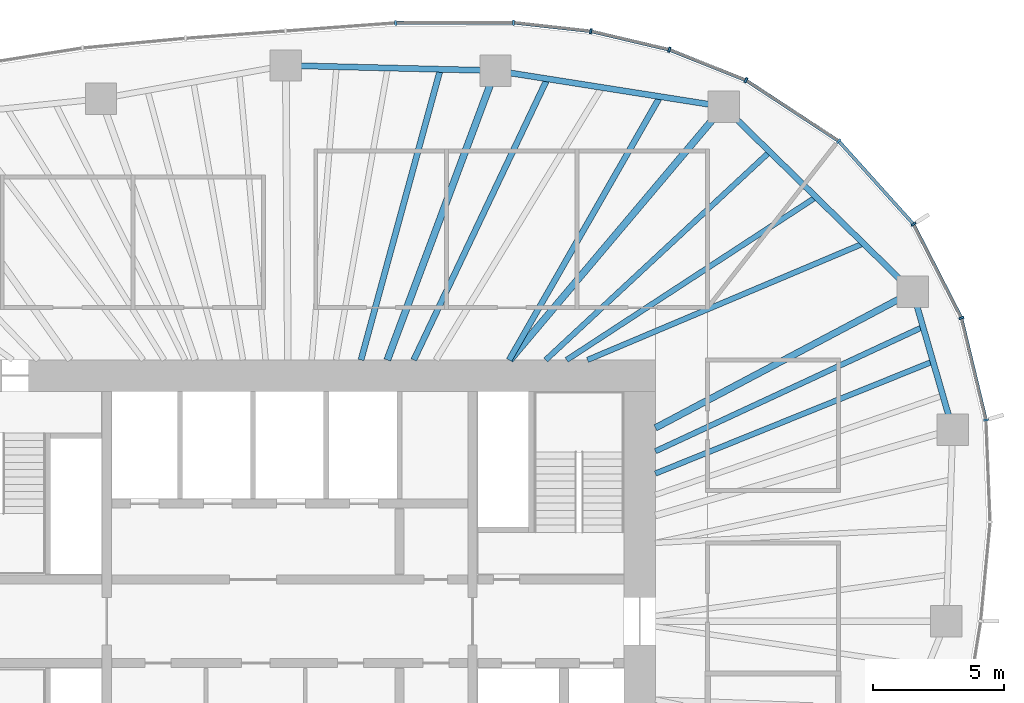
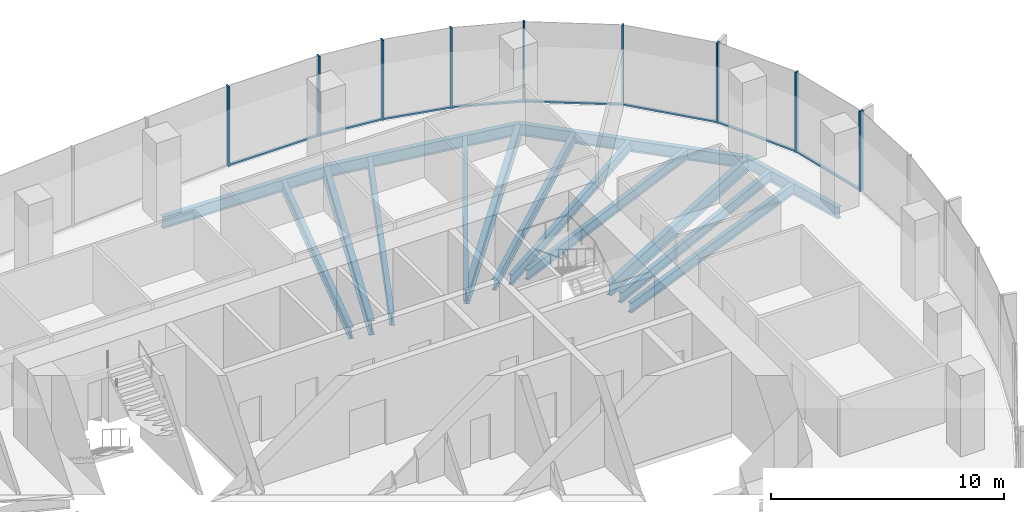
# One storey, part 6 of 12: 17 members, 15 beams, 4 elements without a shape of their own.
"""IFC4 building model written with IfcOpenShell, lengths in metres."""

import ifcopenshell
import ifcopenshell.guid

model = None  # the IFC model being written
_history = None  # IfcOwnerHistory: only IFC2X3 demands one
_inside = {}  # id of a spatial element -> (the spatial element, [elements in it])
_under = {}  # id of a project, library or spatial element -> (it, [spatial elements below it])
_declared = {}  # id of a project -> (the project, [libraries it declares])
_typed = {}  # id of a type object -> (the type object, [elements of that type])
_made_of = {}  # id of a material, layer set ... -> (it, [elements and type objects made of it])


def new_model(schema):
    """Start an empty IFC model of exactly this schema.

    Asked for "IFC4X3", IfcOpenShell would pick the latest addendum, in which some entities
    have other attributes; the version numbers below select the first issue.
    IFC2X3 requires an IfcOwnerHistory on every rooted entity: one is made here for all.
    """
    global model, _history
    if schema == "IFC4X3":
        model = ifcopenshell.file(schema_version=(4, 3, 0, 0))
    else:
        model = ifcopenshell.file(schema=schema)
    _inside.clear()
    _under.clear()
    _declared.clear()
    _typed.clear()
    _made_of.clear()
    _history = None
    if model.schema == "IFC2X3":
        org = make("IfcOrganization", Name="unknown")
        user = make(
            "IfcPersonAndOrganization",
            ThePerson=make("IfcPerson", FamilyName="unknown"),
            TheOrganization=org,
        )
        app = make(
            "IfcApplication",
            ApplicationDeveloper=org,
            Version="unknown",
            ApplicationFullName="unknown",
            ApplicationIdentifier="unknown",
        )
        _history = make(
            "IfcOwnerHistory",
            OwningUser=user,
            OwningApplication=app,
            ChangeAction="ADDED",
            CreationDate=0,
        )
    return model


def make(cls, **values):
    """One entity of the class cls with the attributes given. An attribute that is None is left unset."""
    return model.create_entity(
        cls, **{name: value for name, value in values.items() if value is not None}
    )


def rooted(cls, **values):
    """An entity with a GlobalId (a new one), such as an element, a storey or a relation."""
    return make(cls, GlobalId=ifcopenshell.guid.new(), OwnerHistory=_history, **values)


def si_unit(unit_type, name, prefix=None):
    """IfcSIUnit, for example si_unit("LENGTHUNIT", "METRE", prefix="MILLI")."""
    return make("IfcSIUnit", UnitType=unit_type, Prefix=prefix, Name=name)


def assignment(units):
    """IfcUnitAssignment: the units of a project."""
    return None if units is None else make("IfcUnitAssignment", Units=units)


def point(xyz):
    """IfcCartesianPoint."""
    return None if xyz is None else make("IfcCartesianPoint", Coordinates=xyz)


def direction(xyz):
    """IfcDirection."""
    return None if xyz is None else make("IfcDirection", DirectionRatios=xyz)


def frame(location, z_axis=None, x_axis=None):
    """IfcAxis2Placement3D, a coordinate frame: its origin and axes. An axis left out is left unset."""
    return make(
        "IfcAxis2Placement3D",
        Location=point(location),
        Axis=direction(z_axis),
        RefDirection=direction(x_axis),
    )


def frame_2d(location, x_axis=None):
    """IfcAxis2Placement2D, a coordinate frame in the plane: its origin and x axis."""
    return make(
        "IfcAxis2Placement2D", Location=point(location), RefDirection=direction(x_axis)
    )


def origin():
    """The frame at (0, 0, 0) with its axes left unset."""
    return frame((0.0, 0.0, 0.0))


def origin_2d():
    """The frame at (0, 0) in the plane with its x axis left unset."""
    return frame_2d((0.0, 0.0))


def place(relative_to, where):
    """IfcLocalPlacement: puts the frame where relative to a parent placement (None: the world)."""
    return make(
        "IfcLocalPlacement", PlacementRelTo=relative_to, RelativePlacement=where
    )


def context(
    kind, dimensions, precision=None, world=None, true_north=None, identifier=None
):
    """IfcGeometricRepresentationContext, for example the 3D "Model" context."""
    return make(
        "IfcGeometricRepresentationContext",
        ContextIdentifier=identifier,
        ContextType=kind,
        CoordinateSpaceDimension=dimensions,
        Precision=precision,
        WorldCoordinateSystem=world,
        TrueNorth=true_north,
    )


def subcontext(parent, identifier, kind, view, scale=None):
    """IfcGeometricRepresentationSubContext, for example "Body" below "Model"."""
    return make(
        "IfcGeometricRepresentationSubContext",
        ContextIdentifier=identifier,
        ContextType=kind,
        ParentContext=parent,
        TargetScale=scale,
        TargetView=view,
    )


def project(units=None, contexts=None):
    """IfcProject with its units and contexts."""
    return rooted(
        "IfcProject",
        Name="project",
        RepresentationContexts=contexts,
        UnitsInContext=assignment(units),
    )


def spatial(cls, under=None, at=None, **own):
    """A site, building, storey or space (cls), placed at a placement, below another one or the project."""
    s = rooted(cls, ObjectPlacement=at, **own)
    if under is not None:
        _under.setdefault(under.id(), (under, []))[1].append(s)
    return s


def profile(cls, at=None, kind="AREA", **sizes):
    """A parametric profile (cls). Its sizes go by their IFC names, for example OverallWidth=200.0."""
    return make(cls, ProfileType=kind, Position=at, **sizes)


def rectangle(**sizes):
    """IfcRectangleProfileDef."""
    return profile("IfcRectangleProfileDef", **sizes)


def i_section(**sizes):
    """IfcIShapeProfileDef."""
    return profile("IfcIShapeProfileDef", **sizes)


def extrude(swept, where, along, depth):
    """IfcExtrudedAreaSolid: the profile swept, set in the frame where, extruded along a direction by depth."""
    return make(
        "IfcExtrudedAreaSolid",
        SweptArea=swept,
        Position=where,
        ExtrudedDirection=direction(along),
        Depth=depth,
    )


def shape(context_of_items, identifier, shape_type, items):
    """IfcShapeRepresentation: the items that make up one representation, for example the "Body"."""
    return make(
        "IfcShapeRepresentation",
        ContextOfItems=context_of_items,
        RepresentationIdentifier=identifier,
        RepresentationType=shape_type,
        Items=items,
    )


def material(Name=None, Category=None):
    """IfcMaterial."""
    return make("IfcMaterial", Name=Name, Category=Category)


def material_profile(
    of_material, cross_section, Name=None, Category=None, Priority=None
):
    """IfcMaterialProfile: a cross section and its material."""
    return make(
        "IfcMaterialProfile",
        Name=Name,
        Material=of_material,
        Profile=cross_section,
        Priority=Priority,
        Category=Category,
    )


def profile_set(profiles, Name=None, composite=None):
    """IfcMaterialProfileSet."""
    return make(
        "IfcMaterialProfileSet",
        Name=Name,
        MaterialProfiles=profiles,
        CompositeProfile=composite,
    )


def made_of(thing, what):
    """Note that an element or type object is made of a material, layer set ...; save() writes the relation."""
    if what is not None:
        _made_of.setdefault(what.id(), (what, []))[1].append(thing)
    return thing


def type_object(cls, material=None, **own):
    """A type object (cls), such as IfcWallType, which elements share."""
    return made_of(rooted(cls, **own), material)


def element(
    cls,
    number,
    at=None,
    inside=None,
    cuts=None,
    type_object=None,
    material=None,
    context=None,
    identifier="Body",
    shape_type=None,
    held_by="IfcProductDefinitionShape",
    body=None,
    shapes=None,
    **own,
):
    """One element of the class cls, such as IfcWall. Its Tag is "e" and its number.

    at: its placement. inside: the storey or other place that contains it. cuts: it is an
    opening in that element (IfcRelVoidsElement). A single representation is given by context,
    identifier, shape_type and body (its items); several are given by shapes. held_by: the class
    of the entity that holds the representations. save() writes the other relations.
    """
    e = rooted(cls, Tag="e%d" % number, ObjectPlacement=at, **own)
    if body is not None:
        shapes = [shape(context, identifier, shape_type, body)]
    if shapes is not None:
        e.Representation = make(held_by, Representations=shapes)
    if inside is not None:
        _inside.setdefault(inside.id(), (inside, []))[1].append(e)
    if cuts is not None:
        rooted(
            "IfcRelVoidsElement", RelatingBuildingElement=cuts, RelatedOpeningElement=e
        )
    if type_object is not None:
        _typed.setdefault(type_object.id(), (type_object, []))[1].append(e)
    return made_of(e, material)


def aggregate(whole, parts):
    """IfcRelAggregates: a whole, such as a stair, and the parts it consists of."""
    return rooted("IfcRelAggregates", RelatingObject=whole, RelatedObjects=parts)


def save(model, path):
    """Write the relations noted so far, then the file.

    IfcRelAggregates (storeys below a building ...), IfcRelContainedInSpatialStructure (elements
    in a storey), IfcRelDefinesByType, IfcRelAssociatesMaterial and IfcRelDeclares: one each for
    every whole, place, type object, material and project.
    """
    for whole, parts in _under.values():
        aggregate(whole, parts)
    for where, things in _inside.values():
        rooted(
            "IfcRelContainedInSpatialStructure",
            RelatedElements=things,
            RelatingStructure=where,
        )
    for kind, things in _typed.values():
        rooted("IfcRelDefinesByType", RelatedObjects=things, RelatingType=kind)
    for what, things in _made_of.values():
        rooted("IfcRelAssociatesMaterial", RelatedObjects=things, RelatingMaterial=what)
    for by, libraries in _declared.values():
        rooted("IfcRelDeclares", RelatingContext=by, RelatedDefinitions=libraries)
    model.write(path)


model = new_model("IFC4")

# Units and contexts
model_context = context("Model", 3, precision=1e-05, world=origin(), true_north=direction((0.0, 1.0)))
body_context = subcontext(model_context, "Body", "Model", "MODEL_VIEW")
ifc_project = project(units=[si_unit("LENGTHUNIT", "METRE"), si_unit("AREAUNIT", "SQUARE_METRE"), si_unit("VOLUMEUNIT", "CUBIC_METRE"), si_unit("PLANEANGLEUNIT", "RADIAN"), si_unit("MASSUNIT", "GRAM", prefix="KILO")], contexts=[model_context])

# Site, building, storey
site_placement = place(None, origin())
site = spatial("IfcSite", under=ifc_project, at=site_placement, CompositionType="ELEMENT")
building_placement = place(site_placement, origin())
building = spatial("IfcBuilding", under=site, at=building_placement, Name="Ghaith Harvest Tower", CompositionType="ELEMENT")
storey_placement = place(building_placement, frame((0.0, 0.0, 253.60009765625)))
storey = spatial("IfcBuildingStorey", under=building, at=storey_placement, Name="L56", CompositionType="ELEMENT", Elevation=253.60009765625)

# Curtain wall, members
ifc_material_1 = material(Name="Black anodised aluminium and fritted glass", Category="aluminium")
curtain_wall_type = type_object("IfcCurtainWallType", Name="CW-H CURTAIN WALL", PredefinedType="NOTDEFINED", material=ifc_material_1)
curtain_wall_1_placement = place(storey_placement, origin())
curtain_wall_1 = element("IfcCurtainWall", 1, at=curtain_wall_1_placement, inside=storey, type_object=curtain_wall_type, Name="Curtain wall CW-H bay 02 L56", PredefinedType="NOTDEFINED")
ifc_material_2 = material(Name="Aluminium, black anodised", Category="aluminium")
ifc_material_profile_1 = material_profile(ifc_material_2, rectangle(XDim=0.080078125, YDim=0.199951171875, at=origin_2d()), Name="CW-H MULLION 80x200")
ifc_profile_set_1 = profile_set([ifc_material_profile_1], Name="Aluminium, black anodised")
member_type_1 = type_object("IfcMemberType", Name="CW-H MULLION 80x200", PredefinedType="MULLION", material=ifc_profile_set_1)
member_1_placement = place(storey_placement, frame((26.646484375, 7.701416015625, 0.0), z_axis=(0.0, 0.0, 1.0), x_axis=(-0.139146256981, 0.990271841046, 0.0)))
member_1 = element("IfcMember", 2, at=member_1_placement, type_object=member_type_1, Name="CW-H mullion 1 bay 02 L56", PredefinedType="MULLION", context=body_context, shape_type="SweptSolid", body=[
    extrude(rectangle(XDim=0.080078125, YDim=0.199951171875, at=origin_2d()), origin(), (0.0, 0.0, 1.0), 4.199951171875),
])
member_2_placement = place(storey_placement, frame((25.707275390625, 11.60546875, 0.0), z_axis=(0.0, 0.0, 1.0), x_axis=(-0.347012123561, 0.93786064322, 0.0)))
member_2 = element("IfcMember", 3, at=member_2_placement, type_object=member_type_1, Name="CW-H mullion 2 bay 02 L56", PredefinedType="MULLION", context=body_context, shape_type="SweptSolid", body=[
    extrude(rectangle(XDim=0.080078125, YDim=0.199951171875, at=origin_2d()), origin(), (0.0, 0.0, 1.0), 4.199951171875),
])

curtain_wall_2_placement = place(storey_placement, origin())
curtain_wall_2 = element("IfcCurtainWall", 4, at=curtain_wall_2_placement, inside=storey, type_object=curtain_wall_type, Name="Curtain wall CW-H bay 03 L56", PredefinedType="NOTDEFINED")
member_3_placement = place(storey_placement, frame((23.874267578125, 15.19384765625, 0.0), z_axis=(0.0, 0.0, 1.0), x_axis=(-0.569847382909, 0.821750546207, 0.0)))
member_3 = element("IfcMember", 5, at=member_3_placement, type_object=member_type_1, Name="CW-H mullion 1 bay 03 L56", PredefinedType="MULLION", context=body_context, shape_type="SweptSolid", body=[
    extrude(rectangle(XDim=0.080078125, YDim=0.199951171875, at=origin_2d()), origin(), (0.0, 0.0, 1.0), 4.199951171875),
])
member_4_placement = place(storey_placement, frame((21.013427734375, 18.374267578125, 0.0), z_axis=(0.0, 0.0, 1.0), x_axis=(-0.758541332755, 0.651624927778, 0.0)))
member_4 = element("IfcMember", 6, at=member_4_placement, type_object=member_type_1, Name="CW-H mullion 2 bay 03 L56", PredefinedType="MULLION", context=body_context, shape_type="SweptSolid", body=[
    extrude(rectangle(XDim=0.080078125, YDim=0.199951171875, at=origin_2d()), origin(), (0.0, 0.0, 1.0), 4.199951171875),
])

curtain_wall_3_placement = place(storey_placement, origin())
curtain_wall_3 = element("IfcCurtainWall", 7, at=curtain_wall_3_placement, inside=storey, type_object=curtain_wall_type, Name="Curtain wall CW-H bay 04 L56", PredefinedType="NOTDEFINED")
member_5_placement = place(storey_placement, frame((17.45947265625, 20.704345703125, 0.0), z_axis=(0.0, 0.0, 1.0), x_axis=(-0.880203412003, 0.474596621878, 0.0)))
member_5 = element("IfcMember", 8, at=member_5_placement, type_object=member_type_1, Name="CW-H mullion 1 bay 04 L56", PredefinedType="MULLION", context=body_context, shape_type="SweptSolid", body=[
    extrude(rectangle(XDim=0.080078125, YDim=0.199951171875, at=origin_2d()), origin(), (0.0, 0.0, 1.0), 4.199951171875),
])
member_6_placement = place(storey_placement, frame((14.52734375, 21.871337890625, 0.0), z_axis=(0.0, 0.0, 1.0), x_axis=(-0.953502908871, 0.30138381306, 0.0)))
member_6 = element("IfcMember", 9, at=member_6_placement, type_object=member_type_1, Name="CW-H mullion 2 bay 04 L56", PredefinedType="MULLION", context=body_context, shape_type="SweptSolid", body=[
    extrude(rectangle(XDim=0.080078125, YDim=0.199951171875, at=origin_2d()), origin(), (0.0, 0.0, 1.0), 4.199951171875),
])
member_7_placement = place(storey_placement, frame((11.527099609375, 22.579345703125, 0.0), z_axis=(0.0, 0.0, 1.0), x_axis=(-0.985193373388, 0.171446834417, 0.0)))
member_7 = element("IfcMember", 10, at=member_7_placement, type_object=member_type_1, Name="CW-H mullion 3 bay 04 L56", PredefinedType="MULLION", context=body_context, shape_type="SweptSolid", body=[
    extrude(rectangle(XDim=0.080078125, YDim=0.199951171875, at=origin_2d()), origin(), (0.0, 0.0, 1.0), 4.199951171875),
])

curtain_wall_4_placement = place(storey_placement, origin())
curtain_wall_4 = element("IfcCurtainWall", 11, at=curtain_wall_4_placement, inside=storey, type_object=curtain_wall_type, Name="Curtain wall CW-H bay 05 L56", PredefinedType="NOTDEFINED")
member_8_placement = place(storey_placement, frame((8.564208984375, 22.9091796875, 0.0), z_axis=(0.0, 0.0, 1.0), x_axis=(-0.999083519493, 0.042803283493, 0.0)))
member_8 = element("IfcMember", 12, at=member_8_placement, type_object=member_type_1, Name="CW-H mullion 1 bay 05 L56", PredefinedType="MULLION", context=body_context, shape_type="SweptSolid", body=[
    extrude(rectangle(XDim=0.080078125, YDim=0.199951171875, at=origin_2d()), origin(), (0.0, 0.0, 1.0), 4.199951171875),
])
member_9_placement = place(storey_placement, frame((4.0595703125, 22.8994140625, 0.0), z_axis=(0.0, 0.0, 1.0), x_axis=(-0.999332779724, -0.036523901335, 0.0)))
member_9 = element("IfcMember", 13, at=member_9_placement, type_object=member_type_1, Name="CW-H mullion 2 bay 05 L56", PredefinedType="MULLION", context=body_context, shape_type="SweptSolid", body=[
    extrude(rectangle(XDim=0.080078125, YDim=0.199951171875, at=origin_2d()), origin(), (0.0, 0.0, 1.0), 4.199951171875),
])

# Member
ifc_material_3 = material(Name="Aluminium, black anodised", Category="aluminium")
ifc_material_profile_2 = material_profile(ifc_material_3, rectangle(XDim=0.1298828125, YDim=0.080078125, at=origin_2d()), Name="CW-H TRANSOM 130x80")
ifc_profile_set_2 = profile_set([ifc_material_profile_2], Name="Aluminium, black anodised")
member_type_2 = type_object("IfcMemberType", Name="CW-H TRANSOM 130x80", PredefinedType="USERDEFINED", material=ifc_profile_set_2)
member_10_placement = place(storey_placement, frame((26.636962890625, 7.740234375, 0.039794921875), z_axis=(-0.233870324689, 0.972267798104, 0.0), x_axis=(-0.972267798104, -0.233870324689, 0.0)))
member_10 = element("IfcMember", 14, at=member_10_placement, type_object=member_type_2, Name="CW-H transom 1 bay 02 L56", ObjectType="TRANSOM", PredefinedType="USERDEFINED", context=body_context, shape_type="SweptSolid", body=[
    extrude(rectangle(XDim=0.1298828125, YDim=0.080078125, at=origin_2d()), origin(), (0.0, 0.0, 1.0), 3.935546875),
])

member_11_placement = place(storey_placement, frame((25.68896484375, 11.64111328125, 0.039794921875), z_axis=(-0.454911728312, 0.890536534592, 0.0), x_axis=(-0.890536534592, -0.454911728312, 0.0)))
member_11 = element("IfcMember", 15, at=member_11_placement, type_object=member_type_2, Name="CW-H transom 2 bay 02 L56", ObjectType="TRANSOM", PredefinedType="USERDEFINED", context=body_context, shape_type="SweptSolid", body=[
    extrude(rectangle(XDim=0.1298828125, YDim=0.080078125, at=origin_2d()), origin(), (0.0, 0.0, 1.0), 3.949462890625),
])

aggregate(curtain_wall_1, [member_1, member_10, member_2, member_11])

member_12_placement = place(storey_placement, frame((23.847412109375, 15.223388671875, 0.039794921875), z_axis=(-0.668752638518, 0.743484975286, 0.0), x_axis=(-0.743484975286, -0.668752638518, 0.0)))
member_12 = element("IfcMember", 16, at=member_12_placement, type_object=member_type_2, Name="CW-H transom 1 bay 03 L56", ObjectType="TRANSOM", PredefinedType="USERDEFINED", context=body_context, shape_type="SweptSolid", body=[
    extrude(rectangle(XDim=0.1298828125, YDim=0.080078125, at=origin_2d()), origin(), (0.0, 0.0, 1.0), 4.197998046875),
])

member_13_placement = place(storey_placement, frame((20.97998046875, 18.39599609375, 0.039794921875), z_axis=(-0.836268574396, 0.548320044753, 0.0), x_axis=(-0.548320044753, -0.836268574396, 0.0)))
member_13 = element("IfcMember", 17, at=member_13_placement, type_object=member_type_2, Name="CW-H transom 2 bay 03 L56", ObjectType="TRANSOM", PredefinedType="USERDEFINED", context=body_context, shape_type="SweptSolid", body=[
    extrude(rectangle(XDim=0.1298828125, YDim=0.080078125, at=origin_2d()), origin(), (0.0, 0.0, 1.0), 4.169677734375),
])

aggregate(curtain_wall_2, [member_3, member_12, member_4, member_13])

member_14_placement = place(storey_placement, frame((17.42236328125, 20.71923828125, 0.039794921875), z_axis=(-0.929115751434, 0.369789021521, 0.0), x_axis=(-0.369789021521, -0.929115751434, 0.0)))
member_14 = element("IfcMember", 18, at=member_14_placement, type_object=member_type_2, Name="CW-H transom 1 bay 04 L56", ObjectType="TRANSOM", PredefinedType="USERDEFINED", context=body_context, shape_type="SweptSolid", body=[
    extrude(rectangle(XDim=0.1298828125, YDim=0.080078125, at=origin_2d()), origin(), (0.0, 0.0, 1.0), 3.075927734375),
])

member_15_placement = place(storey_placement, frame((14.48828125, 21.880615234375, 0.039794921875), z_axis=(-0.97325803677, 0.229714592186, 0.0), x_axis=(-0.229714592186, -0.97325803677, 0.0)))
member_15 = element("IfcMember", 19, at=member_15_placement, type_object=member_type_2, Name="CW-H transom 2 bay 04 L56", ObjectType="TRANSOM", PredefinedType="USERDEFINED", context=body_context, shape_type="SweptSolid", body=[
    extrude(rectangle(XDim=0.1298828125, YDim=0.080078125, at=origin_2d()), origin(), (0.0, 0.0, 1.0), 3.00244140625),
])

member_16_placement = place(storey_placement, frame((11.4873046875, 22.583984375, 0.039794921875), z_axis=(-0.993867303252, 0.110579308762, 0.0), x_axis=(-0.110579308762, -0.993867303252, 0.0)))
member_16 = element("IfcMember", 20, at=member_16_placement, type_object=member_type_2, Name="CW-H transom 3 bay 04 L56", ObjectType="TRANSOM", PredefinedType="USERDEFINED", context=body_context, shape_type="SweptSolid", body=[
    extrude(rectangle(XDim=0.1298828125, YDim=0.080078125, at=origin_2d()), origin(), (0.0, 0.0, 1.0), 2.901123046875),
])

aggregate(curtain_wall_3, [member_5, member_14, member_6, member_15, member_7, member_16])

member_17_placement = place(storey_placement, frame((8.524169921875, 22.9091796875, 0.039794921875), z_axis=(-0.999997564275, -0.002207134722, 0.0), x_axis=(0.002207134722, -0.999997564275, 0.0)))
member_17 = element("IfcMember", 21, at=member_17_placement, type_object=member_type_2, Name="CW-H transom 1 bay 05 L56", ObjectType="TRANSOM", PredefinedType="USERDEFINED", context=body_context, shape_type="SweptSolid", body=[
    extrude(rectangle(XDim=0.1298828125, YDim=0.080078125, at=origin_2d()), origin(), (0.0, 0.0, 1.0), 4.424560546875),
])

aggregate(curtain_wall_4, [member_8, member_17, member_9])

# Beams
ifc_material_4 = material(Name="Steel ASTM A992 Grade 50", Category="steel")
ifc_material_profile_3 = material_profile(ifc_material_4, i_section(OverallWidth=0.22900390625, OverallDepth=0.612060546875, WebThickness=0.011962890625, FlangeThickness=0.01953125, at=origin_2d()), Name="W610X125")
ifc_profile_set_3 = profile_set([ifc_material_profile_3], Name="Steel ASTM A992 Grade 50")
beam_type_1 = type_object("IfcBeamType", Name="E610-125 W610X125", PredefinedType="SPANDREL", material=ifc_profile_set_3)
beam_1_placement = place(storey_placement, frame((25.3779296875, 7.3349609375, -0.47607421875), z_axis=(-0.278021352648, 0.960574894254, 0.0), x_axis=(-0.960574894254, -0.278021352648, 0.0)))
element("IfcBeam", 22, at=beam_1_placement, inside=storey, type_object=beam_type_1, Name="Edge beam E02 L56", PredefinedType="SPANDREL", context=body_context, shape_type="SweptSolid", body=[
    extrude(i_section(OverallWidth=0.22900390625, OverallDepth=0.612060546875, WebThickness=0.011962890625, FlangeThickness=0.01953125, at=origin_2d()), origin(), (0.0, 0.0, 1.0), 5.48828125),
])
beam_2_placement = place(storey_placement, frame((23.85205078125, 12.60693359375, -0.47607421875), z_axis=(-0.714761249388, 0.699368541166, 0.0), x_axis=(-0.699368541166, -0.714761249388, 0.0)))
element("IfcBeam", 23, at=beam_2_placement, inside=storey, type_object=beam_type_1, Name="Edge beam E03 L56", PredefinedType="SPANDREL", context=body_context, shape_type="SweptSolid", body=[
    extrude(i_section(OverallWidth=0.22900390625, OverallDepth=0.612060546875, WebThickness=0.011962890625, FlangeThickness=0.01953125, at=origin_2d()), origin(), (0.0, 0.0, 1.0), 10.135009765625),
])
beam_3_placement = place(storey_placement, frame((16.60791015625, 19.695068359375, -0.47607421875), z_axis=(-0.987788485872, 0.155800857439, 0.0), x_axis=(-0.155800857439, -0.987788485872, 0.0)))
element("IfcBeam", 24, at=beam_3_placement, inside=storey, type_object=beam_type_1, Name="Edge beam E04 L56", PredefinedType="SPANDREL", context=body_context, shape_type="SweptSolid", body=[
    extrude(i_section(OverallWidth=0.22900390625, OverallDepth=0.612060546875, WebThickness=0.011962890625, FlangeThickness=0.01953125, at=origin_2d()), origin(), (0.0, 0.0, 1.0), 8.837890625),
])
beam_4_placement = place(storey_placement, frame((7.8779296875, 21.072021484375, -0.47607421875), z_axis=(-0.999692679676, 0.024790042413, 0.0), x_axis=(-0.024790042413, -0.999692679676, 0.0)))
element("IfcBeam", 25, at=beam_4_placement, inside=storey, type_object=beam_type_1, Name="Edge beam E05 L56", PredefinedType="SPANDREL", context=body_context, shape_type="SweptSolid", body=[
    extrude(i_section(OverallWidth=0.22900390625, OverallDepth=0.612060546875, WebThickness=0.011962890625, FlangeThickness=0.01953125, at=origin_2d()), origin(), (0.0, 0.0, 1.0), 8.0263671875),
])
ifc_material_5 = material(Name="Steel ASTM A992 Grade 50", Category="steel")
ifc_material_profile_4 = material_profile(ifc_material_5, i_section(OverallWidth=0.256103515625, OverallDepth=0.693115234375, WebThickness=0.014404296875, FlangeThickness=0.023681640625, at=origin_2d()), Name="W690X170")
ifc_profile_set_4 = profile_set([ifc_material_profile_4], Name="Steel ASTM A992 Grade 50")
beam_type_2 = type_object("IfcBeamType", Name="G690-170 W690X170", PredefinedType="BEAM", material=ifc_profile_set_4)
beam_5_placement = place(storey_placement, frame((14.0, 7.39990234375, -0.5166015625), z_axis=(0.884112784119, 0.467273565438, 0.0), x_axis=(-0.467273565438, 0.884112784119, 0.0)))
element("IfcBeam", 26, at=beam_5_placement, inside=storey, type_object=beam_type_2, Name="Radial girder G03 L56", PredefinedType="BEAM", context=body_context, shape_type="SweptSolid", body=[
    extrude(i_section(OverallWidth=0.256103515625, OverallDepth=0.693115234375, WebThickness=0.014404296875, FlangeThickness=0.023681640625, at=origin_2d()), origin(), (0.0, 0.0, 1.0), 11.143310546875),
])
ifc_material_6 = material(Name="Steel ASTM A992 Grade 50", Category="steel")
ifc_material_profile_5 = material_profile(ifc_material_6, i_section(OverallWidth=0.26806640625, OverallDepth=0.77001953125, WebThickness=0.015625, FlangeThickness=0.025390625, at=origin_2d()), Name="W760X196")
ifc_profile_set_5 = profile_set([ifc_material_profile_5], Name="Steel ASTM A992 Grade 50")
beam_type_3 = type_object("IfcBeamType", Name="G760-196 W760X196", PredefinedType="BEAM", material=ifc_profile_set_5)
beam_6_placement = place(storey_placement, frame((8.4326171875, 10.0, -0.55517578125), z_axis=(0.644644245772, 0.764482698557, 0.0), x_axis=(-0.764482698557, 0.644644245772, 0.0)))
element("IfcBeam", 27, at=beam_6_placement, inside=storey, type_object=beam_type_3, Name="Radial girder G04 L56", PredefinedType="BEAM", context=body_context, shape_type="SweptSolid", body=[
    extrude(i_section(OverallWidth=0.26806640625, OverallDepth=0.77001953125, WebThickness=0.015625, FlangeThickness=0.025390625, at=origin_2d()), origin(), (0.0, 0.0, 1.0), 12.681884765625),
])
beam_7_placement = place(storey_placement, frame((3.73828125, 10.0, -0.55517578125), z_axis=(0.350206582147, 0.936672488024, 0.0), x_axis=(-0.936672488024, 0.350206582147, 0.0)))
element("IfcBeam", 28, at=beam_7_placement, inside=storey, type_object=beam_type_3, Name="Radial girder G05 L56", PredefinedType="BEAM", context=body_context, shape_type="SweptSolid", body=[
    extrude(i_section(OverallWidth=0.26806640625, OverallDepth=0.77001953125, WebThickness=0.015625, FlangeThickness=0.025390625, at=origin_2d()), origin(), (0.0, 0.0, 1.0), 11.820556640625),
])
ifc_material_7 = material(Name="Steel ASTM A992 Grade 50", Category="steel")
ifc_material_profile_6 = material_profile(ifc_material_7, i_section(OverallWidth=0.2109375, OverallDepth=0.5390625, WebThickness=0.01171875, FlangeThickness=0.018798828125, at=origin_2d()), Name="W530X109")
ifc_profile_set_6 = profile_set([ifc_material_profile_6], Name="Steel ASTM A992 Grade 50")
beam_type_4 = type_object("IfcBeamType", Name="J530-109 W530X109", PredefinedType="JOIST", material=ifc_profile_set_6)
beam_8_placement = place(storey_placement, frame((14.0, 5.653564453125, -0.439697265625), z_axis=(0.927250374508, 0.37444190868, 0.0), x_axis=(-0.37444190868, 0.927250374508, 0.0)))
element("IfcBeam", 29, at=beam_8_placement, inside=storey, type_object=beam_type_4, Name="Joist J02.2 L56", PredefinedType="JOIST", context=body_context, shape_type="SweptSolid", body=[
    extrude(i_section(OverallWidth=0.2109375, OverallDepth=0.5390625, WebThickness=0.01171875, FlangeThickness=0.018798828125, at=origin_2d()), origin(), (0.0, 0.0, 1.0), 11.45654296875),
])
beam_9_placement = place(storey_placement, frame((14.0, 6.506103515625, -0.439697265625), z_axis=(0.906864105655, 0.421423176718, 0.0), x_axis=(-0.421423176718, 0.906864105655, 0.0)))
element("IfcBeam", 30, at=beam_9_placement, inside=storey, type_object=beam_type_4, Name="Joist J02.3 L56", PredefinedType="JOIST", context=body_context, shape_type="SweptSolid", body=[
    extrude(i_section(OverallWidth=0.2109375, OverallDepth=0.5390625, WebThickness=0.01171875, FlangeThickness=0.018798828125, at=origin_2d()), origin(), (0.0, 0.0, 1.0), 11.292236328125),
])
beam_10_placement = place(storey_placement, frame((11.39990234375, 10.0, -0.439697265625), z_axis=(0.92127415213, 0.388913790727, 0.0), x_axis=(-0.388913790727, 0.92127415213, 0.0)))
element("IfcBeam", 31, at=beam_10_placement, inside=storey, type_object=beam_type_4, Name="Joist J03.1 L56", PredefinedType="JOIST", context=body_context, shape_type="SweptSolid", body=[
    extrude(i_section(OverallWidth=0.2109375, OverallDepth=0.5390625, WebThickness=0.01171875, FlangeThickness=0.018798828125, at=origin_2d()), origin(), (0.0, 0.0, 1.0), 11.462646484375),
])
beam_11_placement = place(storey_placement, frame((10.60009765625, 10.0, -0.439697265625), z_axis=(0.837329320942, 0.546698827775, 0.0), x_axis=(-0.546698827775, 0.837329320942, 0.0)))
element("IfcBeam", 32, at=beam_11_placement, inside=storey, type_object=beam_type_4, Name="Joist J03.2 L56", PredefinedType="JOIST", context=body_context, shape_type="SweptSolid", body=[
    extrude(i_section(OverallWidth=0.2109375, OverallDepth=0.5390625, WebThickness=0.01171875, FlangeThickness=0.018798828125, at=origin_2d()), origin(), (0.0, 0.0, 1.0), 11.40087890625),
])
beam_12_placement = place(storey_placement, frame((9.800048828125, 10.0, -0.439697265625), z_axis=(0.732519288302, 0.680746275984, 0.0), x_axis=(-0.680746275984, 0.732519288302, 0.0)))
element("IfcBeam", 33, at=beam_12_placement, inside=storey, type_object=beam_type_4, Name="Joist J03.3 L56", PredefinedType="JOIST", context=body_context, shape_type="SweptSolid", body=[
    extrude(i_section(OverallWidth=0.2109375, OverallDepth=0.5390625, WebThickness=0.01171875, FlangeThickness=0.018798828125, at=origin_2d()), origin(), (0.0, 0.0, 1.0), 11.7041015625),
])
ifc_material_8 = material(Name="Steel ASTM A992 Grade 50", Category="steel")
ifc_material_profile_7 = material_profile(ifc_material_8, i_section(OverallWidth=0.22900390625, OverallDepth=0.612060546875, WebThickness=0.011962890625, FlangeThickness=0.01953125, at=origin_2d()), Name="W610X125")
ifc_profile_set_7 = profile_set([ifc_material_profile_7], Name="Steel ASTM A992 Grade 50")
beam_type_5 = type_object("IfcBeamType", Name="J610-125 W610X125", PredefinedType="JOIST", material=ifc_profile_set_7)
beam_13_placement = place(storey_placement, frame((8.39990234375, 10.0, -0.47607421875), z_axis=(0.497444212127, 0.867495968764, 0.0), x_axis=(-0.867495968764, 0.497444212127, 0.0)))
element("IfcBeam", 34, at=beam_13_placement, inside=storey, type_object=beam_type_5, Name="Joist J04.1 L56", PredefinedType="JOIST", context=body_context, shape_type="SweptSolid", body=[
    extrude(i_section(OverallWidth=0.22900390625, OverallDepth=0.612060546875, WebThickness=0.011962890625, FlangeThickness=0.01953125, at=origin_2d()), origin(), (0.0, 0.0, 1.0), 11.617431640625),
])
beam_14_placement = place(storey_placement, frame((4.75, 10.0, -0.47607421875), z_axis=(0.429069356877, 0.903271546651, 0.0), x_axis=(-0.903271546651, 0.429069356877, 0.0)))
element("IfcBeam", 35, at=beam_14_placement, inside=storey, type_object=beam_type_5, Name="Joist J04.3 L56", PredefinedType="JOIST", context=body_context, shape_type="SweptSolid", body=[
    extrude(i_section(OverallWidth=0.22900390625, OverallDepth=0.612060546875, WebThickness=0.011962890625, FlangeThickness=0.01953125, at=origin_2d()), origin(), (0.0, 0.0, 1.0), 11.911376953125),
])
beam_15_placement = place(storey_placement, frame((2.73095703125, 10.0, -0.47607421875), z_axis=(0.263455967932, 0.964671422279, 0.0), x_axis=(-0.964671422279, 0.263455967932, 0.0)))
element("IfcBeam", 36, at=beam_15_placement, inside=storey, type_object=beam_type_5, Name="Joist J05.1 L56", PredefinedType="JOIST", context=body_context, shape_type="SweptSolid", body=[
    extrude(i_section(OverallWidth=0.22900390625, OverallDepth=0.612060546875, WebThickness=0.011962890625, FlangeThickness=0.01953125, at=origin_2d()), origin(), (0.0, 0.0, 1.0), 11.53173828125),
])

save(model, "model.ifc")
